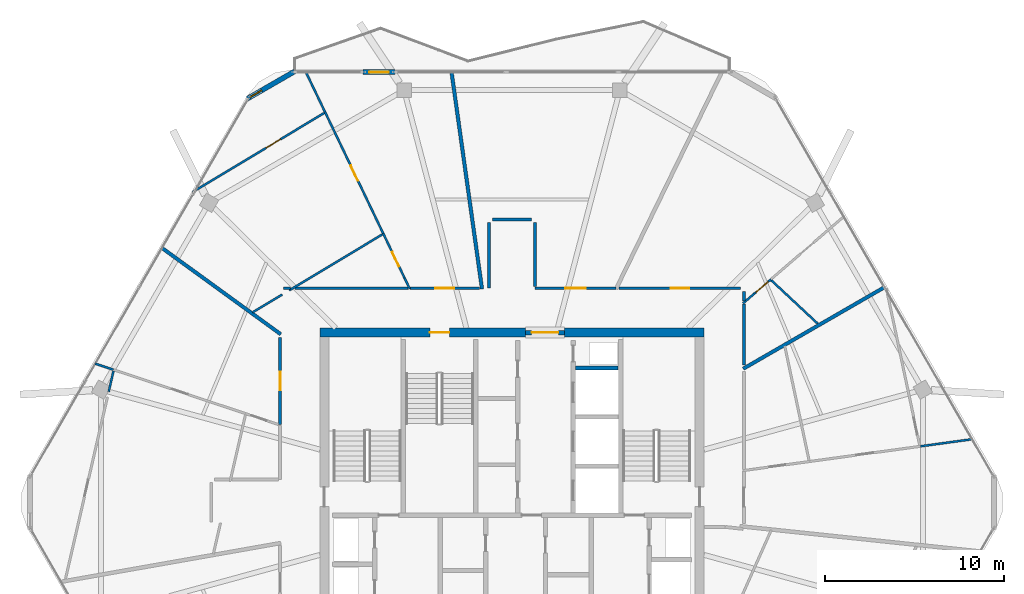
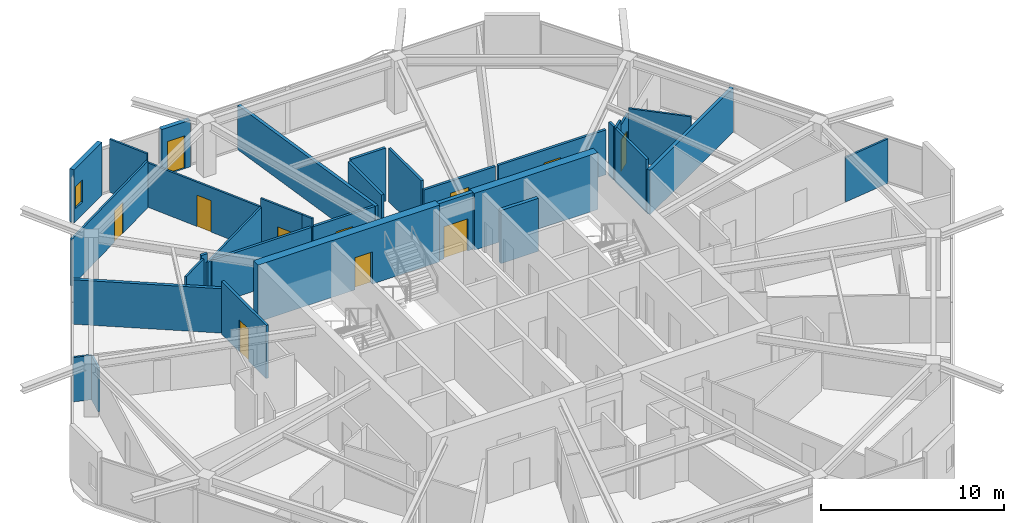
# One storey, part 17 of 20: 33 walls, 11 doors, 1 window, 12 openings.
"""IFC4 building model written with IfcOpenShell, lengths in metres."""

from ifc_helpers import new_model, si_unit, direction, frame, frame_2d, origin, place, context, subcontext, project, spatial, rectangle, extrude, material, layer, layer_set, type_object, element, fill, save


model = new_model("IFC4")

# Units and contexts
model_context = context("Model", 3, precision=1e-05, world=origin(), true_north=direction((0.0, 1.0)))
body_context = subcontext(model_context, "Body", "Model", "MODEL_VIEW")
ifc_project = project(units=[si_unit("LENGTHUNIT", "METRE"), si_unit("AREAUNIT", "SQUARE_METRE"), si_unit("VOLUMEUNIT", "CUBIC_METRE"), si_unit("PLANEANGLEUNIT", "RADIAN"), si_unit("MASSUNIT", "GRAM", prefix="KILO")], contexts=[model_context])

# Site, building, storey
site_placement = place(None, origin())
site = spatial("IfcSite", under=ifc_project, at=site_placement, CompositionType="ELEMENT")
building_placement = place(site_placement, origin())
building = spatial("IfcBuilding", under=site, at=building_placement, Name="Zuhravey Tower", CompositionType="ELEMENT")
storey_placement = place(building_placement, frame((0.0, 0.0, 312.0)))
storey = spatial("IfcBuildingStorey", under=building, at=storey_placement, Name="L79", CompositionType="ELEMENT", Elevation=312.0)

# Wall
ifc_material_1 = material(Name="Concrete C50/60", Category="concrete")
ifc_layer_1 = layer(ifc_material_1, 0.5)
ifc_layer_set_1 = layer_set([ifc_layer_1], Name="Concrete C50/60")
wall_type_1 = type_object("IfcWallType", Name="Core Shear Wall 500", PredefinedType="SHEAR", material=ifc_layer_set_1)
wall_1_placement = place(storey_placement, frame((46.75, 41.5, 0.0), z_axis=(0.0, 0.0, 1.0), x_axis=(-1.0, 0.0, 0.0)))
element("IfcWall", 1, at=wall_1_placement, inside=storey, type_object=wall_type_1, Name="L79 North-East Core Shear Wall CW50", PredefinedType="SHEAR", context=body_context, shape_type="SweptSolid", body=[
    extrude(rectangle(XDim=7.800048828125, YDim=0.5, at=frame_2d((3.89990234375, 0.0))), origin(), (0.0, 0.0, 1.0), 3.800048828125),
])

# Wall, opening, door
wall_2_placement = place(storey_placement, frame((36.75, 41.5, 0.0), z_axis=(0.0, 0.0, 1.0), x_axis=(-1.0, 0.0, 0.0)))
wall_2 = element("IfcWall", 2, at=wall_2_placement, inside=storey, type_object=wall_type_1, Name="L79 North-West Core Shear Wall CW50", PredefinedType="SHEAR", context=body_context, shape_type="SweptSolid", body=[
    extrude(rectangle(XDim=11.5, YDim=0.5, at=frame_2d((5.75, 0.0))), origin(), (0.0, 0.0, 1.0), 3.800048828125),
])
opening_1_placement = place(wall_2_placement, frame((4.25, 0.0, 0.0)))
opening_1 = element("IfcOpeningElement", 3, at=opening_1_placement, cuts=wall_2, Name="Opening STD1", PredefinedType="OPENING", context=body_context, shape_type="SweptSolid", body=[
    extrude(rectangle(XDim=1.10009765625, YDim=2.14990234375, at=frame_2d((0.550048828125, 1.074951171875))), frame((0.0, 0.261962890625, 0.0), z_axis=(0.0, -1.0, 0.0), x_axis=(1.0, 0.0, 0.0)), (0.0, 0.0, 1.0), 0.52392578125),
])
ifc_material_2 = material(Name="Galvanised fire-rated steel leaf", Category="steel")
door_type_1 = type_object("IfcDoorType", Name="Protected Stair Fire Door 1100x2150", OperationType="NOTDEFINED", PredefinedType="USERDEFINED", material=ifc_material_2)
door_1_placement = place(opening_1_placement, origin())
door_1 = element("IfcDoor", 4, at=door_1_placement, inside=storey, type_object=door_type_1, Name="L79 Stair ST3 Door", ObjectType="EXITDOOR", OperationType="SINGLE_SWING_LEFT", OverallHeight=2.14990234375, OverallWidth=1.10009765625, PredefinedType="USERDEFINED", context=body_context, shape_type="SweptSolid", body=[
    extrude(rectangle(XDim=1.10009765625, YDim=2.14990234375, at=frame_2d((0.550048828125, 1.074951171875))), frame((0.0, 0.02490234375, 0.0), z_axis=(0.0, -1.0, 0.0), x_axis=(1.0, 0.0, 0.0)), (0.0, 0.0, 1.0), 0.050048828125),
])
fill(opening_1, door_1)

ifc_material_3 = material(Name="Gypsum fire-rated stud partition")
ifc_layer_2 = layer(ifc_material_3, 0.159912109375)
ifc_layer_set_2 = layer_set([ifc_layer_2], Name="Gypsum fire-rated stud partition")
wall_type_2 = type_object("IfcWallType", Name="Corridor Fire Partition 160", PredefinedType="PARTITIONING", material=ifc_layer_set_2)
wall_3_placement = place(storey_placement, frame((34.189453125, 43.97998046875, 0.0), z_axis=(0.0, 0.0, 1.0), x_axis=(-1.0, 0.0, 0.0)))
wall_3 = element("IfcWall", 5, at=wall_3_placement, inside=storey, type_object=wall_type_2, Name="L79 IW16 Partition 023", PredefinedType="PARTITIONING", context=body_context, shape_type="SweptSolid", body=[
    extrude(rectangle(XDim=3.9072265625, YDim=0.159912109375, at=frame_2d((1.95361328125, 0.0))), origin(), (0.0, 0.0, 1.0), 3.0),
])
opening_2_placement = place(wall_3_placement, frame((1.428466796875, 0.0, 0.0)))
opening_2 = element("IfcOpeningElement", 6, at=opening_2_placement, cuts=wall_3, Name="Opening APD1", PredefinedType="OPENING", context=body_context, shape_type="SweptSolid", body=[
    extrude(rectangle(XDim=1.050048828125, YDim=2.14990234375, at=frame_2d((0.52490234375, 1.074951171875))), frame((0.0, 0.092041015625, 0.0), z_axis=(0.0, -1.0, 0.0), x_axis=(1.0, 0.0, 0.0)), (0.0, 0.0, 1.0), 0.183837890625),
])
ifc_material_4 = material(Name="Solid-core oak fire-rated leaf")
door_type_2 = type_object("IfcDoorType", Name="Apartment Entrance Fire Door 1050x2150", OperationType="NOTDEFINED", PredefinedType="DOOR", material=ifc_material_4)
door_2_placement = place(opening_2_placement, frame((1.050048828125, 0.0, 0.0), z_axis=(0.0, 0.0, 1.0), x_axis=(-1.0, 0.0, 0.0)))
door_2 = element("IfcDoor", 7, at=door_2_placement, inside=storey, type_object=door_type_2, Name="L79 Door 023.1", OperationType="SINGLE_SWING_LEFT", OverallHeight=2.14990234375, OverallWidth=1.050048828125, PredefinedType="DOOR", context=body_context, shape_type="SweptSolid", body=[
    extrude(rectangle(XDim=1.050048828125, YDim=2.14990234375, at=frame_2d((0.52490234375, 1.074951171875))), frame((0.0, 0.02490234375, 0.0), z_axis=(0.0, -1.0, 0.0), x_axis=(1.0, 0.0, 0.0)), (0.0, 0.0, 1.0), 0.050048828125),
])
fill(opening_2, door_2)

wall_4_placement = place(storey_placement, frame((23.02001953125, 41.23388671875, 0.0), z_axis=(0.0, 0.0, 1.0), x_axis=(0.0, -1.0, 0.0)))
wall_4 = element("IfcWall", 8, at=wall_4_placement, inside=storey, type_object=wall_type_2, Name="L79 IW16 Partition 027", PredefinedType="PARTITIONING", context=body_context, shape_type="SweptSolid", body=[
    extrude(rectangle(XDim=4.89501953125, YDim=0.159912109375, at=frame_2d((2.447509765625, 0.0))), origin(), (0.0, 0.0, 1.0), 3.550048828125),
])
opening_3_placement = place(wall_4_placement, frame((1.922607421875, 0.0, 0.0)))
opening_3 = element("IfcOpeningElement", 9, at=opening_3_placement, cuts=wall_4, Name="Opening APD1", PredefinedType="OPENING", context=body_context, shape_type="SweptSolid", body=[
    extrude(rectangle(XDim=1.050048828125, YDim=2.14990234375, at=frame_2d((0.52490234375, 1.074951171875))), frame((0.0, 0.092041015625, 0.0), z_axis=(0.0, -1.0, 0.0), x_axis=(1.0, 0.0, 0.0)), (0.0, 0.0, 1.0), 0.183837890625),
])
door_3_placement = place(opening_3_placement, frame((1.050048828125, 0.0, 0.0), z_axis=(0.0, 0.0, 1.0), x_axis=(-1.0, 0.0, 0.0)))
door_3 = element("IfcDoor", 10, at=door_3_placement, inside=storey, type_object=door_type_2, Name="L79 Door 027.1", OperationType="SINGLE_SWING_LEFT", OverallHeight=2.14990234375, OverallWidth=1.050048828125, PredefinedType="DOOR", context=body_context, shape_type="SweptSolid", body=[
    extrude(rectangle(XDim=1.050048828125, YDim=2.14990234375, at=frame_2d((0.52490234375, 1.074951171875))), frame((0.0, 0.02490234375, 0.0), z_axis=(0.0, -1.0, 0.0), x_axis=(1.0, 0.0, 0.0)), (0.0, 0.0, 1.0), 0.050048828125),
])
fill(opening_3, door_3)

wall_5_placement = place(storey_placement, frame((48.800048828125, 43.97998046875, 0.0), z_axis=(0.0, 0.0, 1.0), x_axis=(-1.0, 0.0, 0.0)))
wall_5 = element("IfcWall", 11, at=wall_5_placement, inside=storey, type_object=wall_type_2, Name="L79 IW16 Partition 050", PredefinedType="PARTITIONING", context=body_context, shape_type="SweptSolid", body=[
    extrude(rectangle(XDim=6.8046875, YDim=0.159912109375, at=frame_2d((3.40234375, 0.0))), origin(), (0.0, 0.0, 1.0), 3.0),
])
opening_4_placement = place(wall_5_placement, frame((2.877197265625, 0.0, 0.0)))
opening_4 = element("IfcOpeningElement", 12, at=opening_4_placement, cuts=wall_5, Name="Opening APD1", PredefinedType="OPENING", context=body_context, shape_type="SweptSolid", body=[
    extrude(rectangle(XDim=1.050048828125, YDim=2.14990234375, at=frame_2d((0.52490234375, 1.074951171875))), frame((0.0, 0.092041015625, 0.0), z_axis=(0.0, -1.0, 0.0), x_axis=(1.0, 0.0, 0.0)), (0.0, 0.0, 1.0), 0.183837890625),
])
door_4_placement = place(opening_4_placement, frame((1.050048828125, 0.0, 0.0), z_axis=(0.0, 0.0, 1.0), x_axis=(-1.0, 0.0, 0.0)))
door_4 = element("IfcDoor", 13, at=door_4_placement, inside=storey, type_object=door_type_2, Name="L79 Door 050.1", OperationType="SINGLE_SWING_RIGHT", OverallHeight=2.14990234375, OverallWidth=1.050048828125, PredefinedType="DOOR", context=body_context, shape_type="SweptSolid", body=[
    extrude(rectangle(XDim=1.050048828125, YDim=2.14990234375, at=frame_2d((0.52490234375, 1.074951171875))), frame((0.0, 0.02490234375, 0.0), z_axis=(0.0, -1.0, 0.0), x_axis=(1.0, 0.0, 0.0)), (0.0, 0.0, 1.0), 0.050048828125),
])
fill(opening_4, door_4)

wall_6_placement = place(storey_placement, frame((41.82080078125, 43.97998046875, 0.0), z_axis=(0.0, 0.0, 1.0), x_axis=(-1.0, 0.0, 0.0)))
wall_6 = element("IfcWall", 14, at=wall_6_placement, inside=storey, type_object=wall_type_2, Name="L79 IW16 Partition 051", PredefinedType="PARTITIONING", context=body_context, shape_type="SweptSolid", body=[
    extrude(rectangle(XDim=4.540771484375, YDim=0.159912109375, at=frame_2d((2.2705078125, 0.0))), origin(), (0.0, 0.0, 1.0), 3.0),
])
opening_5_placement = place(wall_6_placement, frame((1.6953125, 0.0, 0.0)))
opening_5 = element("IfcOpeningElement", 15, at=opening_5_placement, cuts=wall_6, Name="Opening CLD1", PredefinedType="OPENING", context=body_context, shape_type="SweptSolid", body=[
    extrude(rectangle(XDim=1.14990234375, YDim=2.199951171875, at=frame_2d((0.574951171875, 1.10009765625))), frame((0.0, 0.092041015625, 0.0), z_axis=(0.0, -1.0, 0.0), x_axis=(1.0, 0.0, 0.0)), (0.0, 0.0, 1.0), 0.183837890625),
])
ifc_material_5 = material(Name="Acoustic timber leaf with vision lite", Category="wood")
door_type_3 = type_object("IfcDoorType", Name="Classroom Acoustic Door 1150x2200", OperationType="NOTDEFINED", PredefinedType="DOOR", material=ifc_material_5)
door_5_placement = place(opening_5_placement, frame((1.14990234375, 0.0, 0.0), z_axis=(0.0, 0.0, 1.0), x_axis=(-1.0, 0.0, 0.0)))
door_5 = element("IfcDoor", 16, at=door_5_placement, inside=storey, type_object=door_type_3, Name="L79 Door 051.1", OperationType="SINGLE_SWING_LEFT", OverallHeight=2.199951171875, OverallWidth=1.14990234375, PredefinedType="DOOR", context=body_context, shape_type="SweptSolid", body=[
    extrude(rectangle(XDim=1.14990234375, YDim=2.199951171875, at=frame_2d((0.574951171875, 1.10009765625))), frame((0.0, 0.02490234375, 0.0), z_axis=(0.0, -1.0, 0.0), x_axis=(1.0, 0.0, 0.0)), (0.0, 0.0, 1.0), 0.050048828125),
])
fill(opening_5, door_5)

# Walls
wall_7_placement = place(storey_placement, frame((30.184814453125, 43.97998046875, 0.0), z_axis=(0.0, 0.0, 1.0), x_axis=(-1.0, 0.0, 0.0)))
element("IfcWall", 17, at=wall_7_placement, inside=storey, type_object=wall_type_2, Name="L79 IW16 Partition 094", PredefinedType="PARTITIONING", context=body_context, shape_type="SweptSolid", body=[
    extrude(rectangle(XDim=6.3203125, YDim=0.159912109375, at=frame_2d((3.16015625, 0.0))), origin(), (0.0, 0.0, 1.0), 3.0),
])
wall_8_placement = place(storey_placement, frame((23.6005859375, 43.97998046875, 0.0), z_axis=(0.0, 0.0, 1.0), x_axis=(-1.0, 0.0, 0.0)))
element("IfcWall", 18, at=wall_8_placement, inside=storey, type_object=wall_type_2, Name="L79 IW16 Partition 095", PredefinedType="PARTITIONING", context=body_context, shape_type="SweptSolid", body=[
    extrude(rectangle(XDim=0.400634765625, YDim=0.159912109375, at=frame_2d((0.2001953125, 0.0))), origin(), (0.0, 0.0, 1.0), 3.550048828125),
])
wall_9_placement = place(storey_placement, frame((48.97998046875, 43.26611328125, 0.0), z_axis=(0.0, 0.0, 1.0), x_axis=(0.0, 1.0, 0.0)))
element("IfcWall", 19, at=wall_9_placement, inside=storey, type_object=wall_type_2, Name="L79 IW16 Partition 112", PredefinedType="PARTITIONING", context=body_context, shape_type="SweptSolid", body=[
    extrude(rectangle(XDim=0.533935546875, YDim=0.159912109375, at=frame_2d((0.26708984375, 0.0))), origin(), (0.0, 0.0, 1.0), 3.550048828125),
])
wall_10_placement = place(storey_placement, frame((48.97998046875, 39.6689453125, 0.0), z_axis=(0.0, 0.0, 1.0), x_axis=(0.0, 1.0, 0.0)))
element("IfcWall", 20, at=wall_10_placement, inside=storey, type_object=wall_type_2, Name="L79 IW16 Partition 113", PredefinedType="PARTITIONING", context=body_context, shape_type="SweptSolid", body=[
    extrude(rectangle(XDim=3.417724609375, YDim=0.159912109375, at=frame_2d((1.708984375, 0.0))), origin(), (0.0, 0.0, 1.0), 3.550048828125),
])
wall_11_placement = place(storey_placement, frame((37.280029296875, 44.068115234375, 0.0), z_axis=(0.0, 0.0, 1.0), x_axis=(0.0, 1.0, 0.0)))
element("IfcWall", 21, at=wall_11_placement, inside=storey, type_object=wall_type_2, Name="L79 IW16 Partition 114", PredefinedType="PARTITIONING", context=body_context, shape_type="SweptSolid", body=[
    extrude(rectangle(XDim=3.581787109375, YDim=0.159912109375, at=frame_2d((1.791015625, 0.0))), origin(), (0.0, 0.0, 1.0), 3.550048828125),
])
wall_12_placement = place(storey_placement, frame((34.719970703125, 47.64990234375, 0.0), z_axis=(0.0, 0.0, 1.0), x_axis=(0.0, -1.0, 0.0)))
element("IfcWall", 22, at=wall_12_placement, inside=storey, type_object=wall_type_2, Name="L79 IW16 Partition 115", PredefinedType="PARTITIONING", context=body_context, shape_type="SweptSolid", body=[
    extrude(rectangle(XDim=3.669921875, YDim=0.159912109375, at=frame_2d((1.8349609375, 0.0))), origin(), (0.0, 0.0, 1.0), 3.550048828125),
])
wall_13_placement = place(storey_placement, frame((37.10009765625, 47.830078125, 0.0), z_axis=(0.0, 0.0, 1.0), x_axis=(-1.0, 0.0, 0.0)))
element("IfcWall", 23, at=wall_13_placement, inside=storey, type_object=wall_type_2, Name="L79 IW16 Partition 116", PredefinedType="PARTITIONING", context=body_context, shape_type="SweptSolid", body=[
    extrude(rectangle(XDim=2.2001953125, YDim=0.159912109375, at=frame_2d((1.10009765625, 0.0))), origin(), (0.0, 0.0, 1.0), 3.550048828125),
])

# Wall, opening, window
ifc_material_6 = material(Name="Precast concrete C40/50", Category="concrete")
ifc_layer_3 = layer(ifc_material_6, 0.280029296875)
ifc_layer_set_3 = layer_set([ifc_layer_3], Name="Precast concrete C40/50")
wall_type_3 = type_object("IfcWallType", Name="Crown Architectural Wall 280", PredefinedType="SOLIDWALL", material=ifc_layer_set_3)
wall_14_placement = place(storey_placement, frame((21.188720703125, 54.589111328125, 0.0), z_axis=(0.0, 0.0, 1.0), x_axis=(0.866023752521, 0.50000286006, 0.0)))
wall_14 = element("IfcWall", 24, at=wall_14_placement, inside=storey, type_object=wall_type_3, Name="L79 Rounded Corner Closure Wall EW28-08", PredefinedType="SOLIDWALL", context=body_context, shape_type="SweptSolid", body=[
    extrude(rectangle(XDim=3.06494140625, YDim=0.280029296875, at=frame_2d((1.532470703125, 0.0))), origin(), (0.0, 0.0, 1.0), 3.550048828125),
])
opening_6_placement = place(wall_14_placement, frame((0.1728515625, 0.0, 0.85009765625)))
opening_6 = element("IfcOpeningElement", 25, at=opening_6_placement, cuts=wall_14, Name="Opening WN5", PredefinedType="OPENING", context=body_context, shape_type="SweptSolid", body=[
    extrude(rectangle(XDim=0.75, YDim=1.5, at=frame_2d((0.375, 0.75))), frame((0.0, 0.152099609375, 0.0), z_axis=(0.0, -1.0, 0.0), x_axis=(1.0, 0.0, 0.0)), (0.0, 0.0, 1.0), 0.303955078125),
])
ifc_material_7 = material(Name="Thermally broken aluminium and triple low-E glass", Category="aluminium")
window_type = type_object("IfcWindowType", Name="Residential Corner Casement Window 750x1500", PartitioningType="SINGLE_PANEL", PredefinedType="WINDOW", material=ifc_material_7)
window_placement = place(opening_6_placement, origin())
window = element("IfcWindow", 26, at=window_placement, inside=storey, type_object=window_type, Name="L79 Corner Casement Window WN5-08.1", OverallHeight=1.5, OverallWidth=0.75, PartitioningType="SINGLE_PANEL", PredefinedType="WINDOW", context=body_context, shape_type="SweptSolid", body=[
    extrude(rectangle(XDim=0.75, YDim=1.5, at=frame_2d((0.375, 0.75))), frame((0.0, 0.030029296875, 0.0), z_axis=(0.0, -1.0, 0.0), x_axis=(1.0, 0.0, 0.0)), (0.0, 0.0, 1.0), 0.06005859375),
])
fill(opening_6, window)

# Wall, opening, door
wall_15_placement = place(storey_placement, frame((27.662109375, 56.07421875, 0.0), z_axis=(0.0, 0.0, 1.0), x_axis=(1.0, 0.0, 0.0)))
wall_15 = element("IfcWall", 27, at=wall_15_placement, inside=storey, type_object=wall_type_3, Name="L79 Face 2 Facade Pier EW28-1", PredefinedType="SOLIDWALL", context=body_context, shape_type="SweptSolid", body=[
    extrude(rectangle(XDim=1.7900390625, YDim=0.280029296875, at=frame_2d((0.89501953125, 0.0))), origin(), (0.0, 0.0, 1.0), 3.1220703125),
])
opening_7_placement = place(wall_15_placement, frame((0.344970703125, 0.0, 0.0)))
opening_7 = element("IfcOpeningElement", 28, at=opening_7_placement, cuts=wall_15, Name="Opening BLD1", PredefinedType="OPENING", context=body_context, shape_type="SweptSolid", body=[
    extrude(rectangle(XDim=1.10009765625, YDim=2.199951171875, at=frame_2d((0.550048828125, 1.10009765625))), frame((0.0, 0.152099609375, 0.0), z_axis=(0.0, -1.0, 0.0), x_axis=(1.0, 0.0, 0.0)), (0.0, 0.0, 1.0), 0.303955078125),
])
ifc_material_8 = material(Name="Thermally broken aluminium and low-E glass", Category="aluminium")
door_type_4 = type_object("IfcDoorType", Name="Balcony & Sky-Tray Glazed Door 1100x2200", OperationType="NOTDEFINED", PredefinedType="DOOR", material=ifc_material_8)
door_6_placement = place(opening_7_placement, frame((1.10009765625, 0.0, 0.0), z_axis=(0.0, 0.0, 1.0), x_axis=(-1.0, 0.0, 0.0)))
door_6 = element("IfcDoor", 29, at=door_6_placement, inside=storey, type_object=door_type_4, Name="L79 Face 2 Wave Balcony Door", OperationType="SINGLE_SWING_RIGHT", OverallHeight=2.199951171875, OverallWidth=1.10009765625, PredefinedType="DOOR", context=body_context, shape_type="SweptSolid", body=[
    extrude(rectangle(XDim=1.10009765625, YDim=2.199951171875, at=frame_2d((0.550048828125, 1.10009765625))), frame((0.0, 0.02490234375, 0.0), z_axis=(0.0, -1.0, 0.0), x_axis=(1.0, 0.0, 0.0)), (0.0, 0.0, 1.0), 0.050048828125),
])
fill(opening_7, door_6)

ifc_layer_4 = layer(ifc_material_1, 0.25)
ifc_layer_set_4 = layer_set([ifc_layer_4], Name="Concrete C50/60")
wall_type_4 = type_object("IfcWallType", Name="Firefighting Shaft & Stair Wall 250", PredefinedType="SOLIDWALL", material=ifc_layer_set_4)
wall_16_placement = place(storey_placement, frame((36.760009765625, 41.5, 0.0), z_axis=(0.0, 0.0, 1.0), x_axis=(1.0, 0.0, 0.0)))
wall_16 = element("IfcWall", 30, at=wall_16_placement, inside=storey, type_object=wall_type_4, Name="L79 FW25 Shaft Wall 002", PredefinedType="SOLIDWALL", context=body_context, shape_type="SweptSolid", body=[
    extrude(rectangle(XDim=2.179931640625, YDim=0.25, at=frame_2d((1.08984375, 0.0))), origin(), (0.0, 0.0, 1.0), 3.800048828125),
])
opening_8_placement = place(wall_16_placement, frame((0.340087890625, 0.0, 0.0)))
opening_8 = element("IfcOpeningElement", 31, at=opening_8_placement, cuts=wall_16, Name="Opening FFD1", PredefinedType="OPENING", context=body_context, shape_type="SweptSolid", body=[
    extrude(rectangle(XDim=1.5, YDim=2.14990234375, at=frame_2d((0.75, 1.074951171875))), frame((0.0, 0.136962890625, 0.0), z_axis=(0.0, -1.0, 0.0), x_axis=(1.0, 0.0, 0.0)), (0.0, 0.0, 1.0), 0.27392578125),
])
door_type_5 = type_object("IfcDoorType", Name="Firefighting Lobby Double Door 1500x2150", OperationType="DOUBLE_DOOR_SINGLE_SWING", PredefinedType="DOOR", material=ifc_material_2)
door_7_placement = place(opening_8_placement, origin())
door_7 = element("IfcDoor", 32, at=door_7_placement, inside=storey, type_object=door_type_5, Name="L79 North Lift Lobby Exit Door", OperationType="DOUBLE_DOOR_SINGLE_SWING", OverallHeight=2.14990234375, OverallWidth=1.5, PredefinedType="DOOR", context=body_context, shape_type="SweptSolid", body=[
    extrude(rectangle(XDim=1.5, YDim=2.14990234375, at=frame_2d((0.75, 1.074951171875))), frame((0.0, 0.02490234375, 0.0), z_axis=(0.0, -1.0, 0.0), x_axis=(1.0, 0.0, 0.0)), (0.0, 0.0, 1.0), 0.050048828125),
])
fill(opening_8, door_7)

# Walls
ifc_material_9 = material(Name="Gypsum double-stud party assembly")
ifc_layer_5 = layer(ifc_material_9, 0.199951171875)
ifc_layer_set_5 = layer_set([ifc_layer_5], Name="Gypsum double-stud party assembly")
wall_type_5 = type_object("IfcWallType", Name="Inter-Tenancy Party Wall 200", PredefinedType="PARTITIONING", material=ifc_layer_set_5)
wall_17_placement = place(storey_placement, frame((34.322021484375, 43.93994140625, 0.0), z_axis=(0.0, 0.0, 1.0), x_axis=(-0.139169963781, 0.990268509638, 0.0)))
element("IfcWall", 33, at=wall_17_placement, inside=storey, type_object=wall_type_5, Name="L79 IW20 Partition 058", PredefinedType="PARTITIONING", context=body_context, shape_type="SweptSolid", body=[
    extrude(rectangle(XDim=12.25341796875, YDim=0.199951171875, at=frame_2d((6.126708984375, 0.0))), origin(), (0.0, 0.0, 1.0), 2.969970703125),
])
wall_18_placement = place(storey_placement, frame((23.06005859375, 41.401611328125, 0.0), z_axis=(0.0, 0.0, 1.0), x_axis=(-0.80902654106, 0.587772112184, 0.0)))
element("IfcWall", 34, at=wall_18_placement, inside=storey, type_object=wall_type_5, Name="L79 IW20 Partition 063", PredefinedType="PARTITIONING", context=body_context, shape_type="SweptSolid", body=[
    extrude(rectangle(XDim=8.211669921875, YDim=0.199951171875, at=frame_2d((4.10595703125, 0.0))), origin(), (0.0, 0.0, 1.0), 2.969970703125),
])
wall_19_placement = place(storey_placement, frame((48.93994140625, 39.470947265625, 0.0), z_axis=(0.0, 0.0, 1.0), x_axis=(0.866028436312, 0.499994747472, 0.0)))
element("IfcWall", 35, at=wall_19_placement, inside=storey, type_object=wall_type_5, Name="L79 IW20 Partition 090", PredefinedType="PARTITIONING", context=body_context, shape_type="SweptSolid", body=[
    extrude(rectangle(XDim=9.13232421875, YDim=0.199951171875, at=frame_2d((4.566162109375, 0.0))), origin(), (0.0, 0.0, 1.0), 2.969970703125),
])
ifc_material_10 = material(Name="Gypsum acoustic stud assembly")
ifc_layer_6 = layer(ifc_material_10, 0.219970703125)
ifc_layer_set_6 = layer_set([ifc_layer_6], Name="Gypsum acoustic stud assembly")
wall_type_6 = type_object("IfcWallType", Name="School Acoustic Compartment Wall 220", PredefinedType="PARTITIONING", material=ifc_layer_set_6)
wall_20_placement = place(storey_placement, frame((39.55810546875, 39.52490234375, 0.0), z_axis=(0.0, 0.0, 1.0), x_axis=(1.0, 0.0, 0.0)))
element("IfcWall", 36, at=wall_20_placement, inside=storey, type_object=wall_type_6, Name="L79 IW22 Partition 056", PredefinedType="PARTITIONING", context=body_context, shape_type="SweptSolid", body=[
    extrude(rectangle(XDim=2.3837890625, YDim=0.219970703125, at=frame_2d((1.19189453125, 0.0))), origin(), (0.0, 0.0, 1.0), 3.550048828125),
])

# Wall, opening, door
ifc_material_11 = material(Name="Gypsum metal-stud partition")
ifc_layer_7 = layer(ifc_material_11, 0.1201171875)
ifc_layer_set_7 = layer_set([ifc_layer_7], Name="Gypsum metal-stud partition")
wall_type_7 = type_object("IfcWallType", Name="Unit Internal Partition 120", PredefinedType="PARTITIONING", material=ifc_layer_set_7)
wall_21_placement = place(storey_placement, frame((29.987060546875, 44.550048828125, 0.0), z_axis=(0.0, 0.0, 1.0), x_axis=(-0.432094791042, 0.901828194034, 0.0)))
wall_21 = element("IfcWall", 37, at=wall_21_placement, inside=storey, type_object=wall_type_7, Name="L79 IW12 Partition 020", PredefinedType="PARTITIONING", context=body_context, shape_type="SweptSolid", body=[
    extrude(rectangle(XDim=2.769775390625, YDim=0.1201171875, at=frame_2d((1.384765625, 0.0))), origin(), (0.0, 0.0, 1.0), 3.550048828125),
])
opening_9_placement = place(wall_21_placement, frame((0.71337890625, 0.0, 0.0)))
opening_9 = element("IfcOpeningElement", 38, at=opening_9_placement, cuts=wall_21, Name="Opening WCD1", PredefinedType="OPENING", context=body_context, shape_type="SweptSolid", body=[
    extrude(rectangle(XDim=0.89990234375, YDim=2.10009765625, at=frame_2d((0.449951171875, 1.050048828125))), frame((0.0, 0.072021484375, 0.0), z_axis=(0.0, -1.0, 0.0), x_axis=(1.0, 0.0, 0.0)), (0.0, 0.0, 1.0), 0.14404296875),
])
ifc_material_12 = material(Name="Moisture-resistant timber leaf", Category="wood")
door_type_6 = type_object("IfcDoorType", Name="Bathroom & WC Internal Door 900x2100", OperationType="NOTDEFINED", PredefinedType="DOOR", material=ifc_material_12)
door_8_placement = place(opening_9_placement, origin())
door_8 = element("IfcDoor", 39, at=door_8_placement, inside=storey, type_object=door_type_6, Name="Apartment L79-01 Bathroom Door", OperationType="SINGLE_SWING_RIGHT", OverallHeight=2.10009765625, OverallWidth=0.89990234375, PredefinedType="DOOR", context=body_context, shape_type="SweptSolid", body=[
    extrude(rectangle(XDim=0.89990234375, YDim=2.10009765625, at=frame_2d((0.449951171875, 1.050048828125))), frame((0.0, 0.02490234375, 0.0), z_axis=(0.0, -1.0, 0.0), x_axis=(1.0, 0.0, 0.0)), (0.0, 0.0, 1.0), 0.050048828125),
])
fill(opening_9, door_8)

wall_22_placement = place(storey_placement, frame((28.790283203125, 47.0478515625, 0.0), z_axis=(0.0, 0.0, 1.0), x_axis=(-0.432076809904, 0.901836809153, 0.0)))
wall_22 = element("IfcWall", 40, at=wall_22_placement, inside=storey, type_object=wall_type_7, Name="L79 IW12 Partition 021", PredefinedType="PARTITIONING", context=body_context, shape_type="SweptSolid", body=[
    extrude(rectangle(XDim=7.534912109375, YDim=0.1201171875, at=frame_2d((3.767578125, 0.0))), origin(), (0.0, 0.0, 1.0), 2.969970703125),
])
opening_10_placement = place(wall_22_placement, frame((3.267333984375, 0.0, 0.0)))
opening_10 = element("IfcOpeningElement", 41, at=opening_10_placement, cuts=wall_22, Name="Opening IND1", PredefinedType="OPENING", context=body_context, shape_type="SweptSolid", body=[
    extrude(rectangle(XDim=0.949951171875, YDim=2.10009765625, at=frame_2d((0.47509765625, 1.050048828125))), frame((0.0, 0.072021484375, 0.0), z_axis=(0.0, -1.0, 0.0), x_axis=(1.0, 0.0, 0.0)), (0.0, 0.0, 1.0), 0.14404296875),
])
ifc_material_13 = material(Name="Painted engineered timber leaf", Category="wood")
door_type_7 = type_object("IfcDoorType", Name="Internal Room & Bedroom Door 950x2100", OperationType="NOTDEFINED", PredefinedType="DOOR", material=ifc_material_13)
door_9_placement = place(opening_10_placement, origin())
door_9 = element("IfcDoor", 42, at=door_9_placement, inside=storey, type_object=door_type_7, Name="Apartment L79-01 Home Office Door", OperationType="SINGLE_SWING_LEFT", OverallHeight=2.10009765625, OverallWidth=0.949951171875, PredefinedType="DOOR", context=body_context, shape_type="SweptSolid", body=[
    extrude(rectangle(XDim=0.949951171875, YDim=2.10009765625, at=frame_2d((0.47509765625, 1.050048828125))), frame((0.0, 0.02490234375, 0.0), z_axis=(0.0, -1.0, 0.0), x_axis=(1.0, 0.0, 0.0)), (0.0, 0.0, 1.0), 0.050048828125),
])
fill(opening_10, door_9)

wall_23_placement = place(storey_placement, frame((25.48681640625, 53.785400390625, 0.0), z_axis=(0.0, 0.0, 1.0), x_axis=(-0.857163620168, -0.515044200299, 0.0)))
wall_23 = element("IfcWall", 43, at=wall_23_placement, inside=storey, type_object=wall_type_7, Name="L79 IW12 Partition 022", PredefinedType="PARTITIONING", context=body_context, shape_type="SweptSolid", body=[
    extrude(rectangle(XDim=8.573974609375, YDim=0.1201171875, at=frame_2d((4.287109375, 0.0))), origin(), (0.0, 0.0, 1.0), 3.1220703125),
])
opening_11_placement = place(wall_23_placement, frame((2.84765625, 0.0, 0.0)))
opening_11 = element("IfcOpeningElement", 44, at=opening_11_placement, cuts=wall_23, Name="Opening IND1", PredefinedType="OPENING", context=body_context, shape_type="SweptSolid", body=[
    extrude(rectangle(XDim=0.949951171875, YDim=2.10009765625, at=frame_2d((0.47509765625, 1.050048828125))), frame((0.0, 0.072021484375, 0.0), z_axis=(0.0, -1.0, 0.0), x_axis=(1.0, 0.0, 0.0)), (0.0, 0.0, 1.0), 0.14404296875),
])
door_10_placement = place(opening_11_placement, frame((0.949951171875, 0.0, 0.0), z_axis=(0.0, 0.0, 1.0), x_axis=(-1.0, 0.0, 0.0)))
door_10 = element("IfcDoor", 45, at=door_10_placement, inside=storey, type_object=door_type_7, Name="Apartment L79-01 Bedroom 1 Door", OperationType="SINGLE_SWING_RIGHT", OverallHeight=2.10009765625, OverallWidth=0.949951171875, PredefinedType="DOOR", context=body_context, shape_type="SweptSolid", body=[
    extrude(rectangle(XDim=0.949951171875, YDim=2.10009765625, at=frame_2d((0.47509765625, 1.050048828125))), frame((0.0, 0.02490234375, 0.0), z_axis=(0.0, -1.0, 0.0), x_axis=(1.0, 0.0, 0.0)), (0.0, 0.0, 1.0), 0.050048828125),
])
fill(opening_11, door_10)

wall_24_placement = place(storey_placement, frame((49.550048828125, 43.667236328125, 0.0), z_axis=(0.0, 0.0, 1.0), x_axis=(0.757782315792, 0.652507442006, 0.0)))
wall_24 = element("IfcWall", 46, at=wall_24_placement, inside=storey, type_object=wall_type_7, Name="L79 IW12 Partition 048", PredefinedType="PARTITIONING", context=body_context, shape_type="SweptSolid", body=[
    extrude(rectangle(XDim=1.24072265625, YDim=0.1201171875, at=frame_2d((0.620361328125, 0.0))), origin(), (0.0, 0.0, 1.0), 3.199951171875),
])
opening_12_placement = place(wall_24_placement, frame((0.139892578125, 0.0, 0.0)))
opening_12 = element("IfcOpeningElement", 47, at=opening_12_placement, cuts=wall_24, Name="Opening WCD1", PredefinedType="OPENING", context=body_context, shape_type="SweptSolid", body=[
    extrude(rectangle(XDim=0.89990234375, YDim=2.10009765625, at=frame_2d((0.449951171875, 1.050048828125))), frame((0.0, 0.072021484375, 0.0), z_axis=(0.0, -1.0, 0.0), x_axis=(1.0, 0.0, 0.0)), (0.0, 0.0, 1.0), 0.14404296875),
])
door_11_placement = place(opening_12_placement, frame((0.89990234375, 0.0, 0.0), z_axis=(0.0, 0.0, 1.0), x_axis=(-1.0, 0.0, 0.0)))
door_11 = element("IfcDoor", 48, at=door_11_placement, inside=storey, type_object=door_type_6, Name="Apartment L79-08 Bathroom Door", OperationType="SINGLE_SWING_RIGHT", OverallHeight=2.10009765625, OverallWidth=0.89990234375, PredefinedType="DOOR", context=body_context, shape_type="SweptSolid", body=[
    extrude(rectangle(XDim=0.89990234375, YDim=2.10009765625, at=frame_2d((0.449951171875, 1.050048828125))), frame((0.0, 0.02490234375, 0.0), z_axis=(0.0, -1.0, 0.0), x_axis=(1.0, 0.0, 0.0)), (0.0, 0.0, 1.0), 0.050048828125),
])
fill(opening_12, door_11)

# Walls
wall_25_placement = place(storey_placement, frame((30.280517578125, 43.9375, 0.0), z_axis=(0.0, 0.0, 1.0), x_axis=(-0.432053187678, 0.901848126359, 0.0)))
element("IfcWall", 49, at=wall_25_placement, inside=storey, type_object=wall_type_7, Name="L79 IW12 Partition 059", PredefinedType="PARTITIONING", context=body_context, shape_type="SweptSolid", body=[
    extrude(rectangle(XDim=0.67919921875, YDim=0.1201171875, at=frame_2d((0.339599609375, 0.0))), origin(), (0.0, 0.0, 1.0), 3.550048828125),
])
wall_26_placement = place(storey_placement, frame((25.53466796875, 53.843017578125, 0.0), z_axis=(0.0, 0.0, 1.0), x_axis=(-0.432145203879, 0.901804037896, 0.0)))
element("IfcWall", 50, at=wall_26_placement, inside=storey, type_object=wall_type_7, Name="L79 IW12 Partition 060", PredefinedType="PARTITIONING", context=body_context, shape_type="SweptSolid", body=[
    extrude(rectangle(XDim=2.4794921875, YDim=0.1201171875, at=frame_2d((1.23974609375, 0.0))), origin(), (0.0, 0.0, 1.0), 3.550048828125),
])
wall_27_placement = place(storey_placement, frame((28.742431640625, 46.990234375, 0.0), z_axis=(0.0, 0.0, 1.0), x_axis=(-0.85717020717, -0.515033237704, 0.0)))
element("IfcWall", 51, at=wall_27_placement, inside=storey, type_object=wall_type_7, Name="L79 IW12 Partition 061", PredefinedType="PARTITIONING", context=body_context, shape_type="SweptSolid", body=[
    extrude(rectangle(XDim=6.07763671875, YDim=0.1201171875, at=frame_2d((3.038818359375, 0.0))), origin(), (0.0, 0.0, 1.0), 3.0),
])
wall_28_placement = place(storey_placement, frame((23.139892578125, 43.623779296875, 0.0), z_axis=(0.0, 0.0, 1.0), x_axis=(-0.857182204265, -0.515013270403, 0.0)))
element("IfcWall", 52, at=wall_28_placement, inside=storey, type_object=wall_type_7, Name="L79 IW12 Partition 062", PredefinedType="PARTITIONING", context=body_context, shape_type="SweptSolid", body=[
    extrude(rectangle(XDim=1.942138671875, YDim=0.1201171875, at=frame_2d((0.97119140625, 0.0))), origin(), (0.0, 0.0, 1.0), 3.550048828125),
])
wall_29_placement = place(storey_placement, frame((13.6865234375, 39.422607421875, 0.0), z_axis=(0.0, 0.0, 1.0), x_axis=(-0.948843569766, 0.315746544105, 0.0)))
element("IfcWall", 53, at=wall_29_placement, inside=storey, type_object=wall_type_7, Name="L79 IW12 Partition 065", PredefinedType="PARTITIONING", context=body_context, shape_type="SweptSolid", body=[
    extrude(rectangle(XDim=1.0654296875, YDim=0.1201171875, at=frame_2d((0.53271484375, 0.0))), origin(), (0.0, 0.0, 1.0), 2.969970703125),
])
wall_30_placement = place(storey_placement, frame((13.69482421875, 39.348388671875, 0.0), z_axis=(0.0, 0.0, 1.0), x_axis=(-0.225009033114, -0.974356677515, 0.0)))
element("IfcWall", 54, at=wall_30_placement, inside=storey, type_object=wall_type_7, Name="L79 IW12 Partition 068", PredefinedType="PARTITIONING", context=body_context, shape_type="SweptSolid", body=[
    extrude(rectangle(XDim=1.1923828125, YDim=0.1201171875, at=frame_2d((0.59619140625, 0.0))), origin(), (0.0, 0.0, 1.0), 2.969970703125),
])
wall_31_placement = place(storey_placement, frame((58.85546875, 35.130859375, 0.0), z_axis=(0.0, 0.0, 1.0), x_axis=(0.990749539567, 0.135703168156, 0.0)))
element("IfcWall", 55, at=wall_31_placement, inside=storey, type_object=wall_type_7, Name="L79 IW12 Partition 088", PredefinedType="PARTITIONING", context=body_context, shape_type="SweptSolid", body=[
    extrude(rectangle(XDim=2.93603515625, YDim=0.1201171875, at=frame_2d((1.468017578125, 0.0))), origin(), (0.0, 0.0, 1.0), 2.969970703125),
])
wall_32_placement = place(storey_placement, frame((48.93505859375, 43.1376953125, 0.0), z_axis=(0.0, 0.0, 1.0), x_axis=(0.757789461508, 0.652499143315, 0.0)))
element("IfcWall", 56, at=wall_32_placement, inside=storey, type_object=wall_type_7, Name="L79 IW12 Partition 091", PredefinedType="PARTITIONING", context=body_context, shape_type="SweptSolid", body=[
    extrude(rectangle(XDim=0.8115234375, YDim=0.1201171875, at=frame_2d((0.40576171875, 0.0))), origin(), (0.0, 0.0, 1.0), 3.550048828125),
])
wall_33_placement = place(storey_placement, frame((53.107666015625, 42.001708984375, 0.0), z_axis=(0.0, 0.0, 1.0), x_axis=(-0.731321501002, 0.682032889362, 0.0)))
element("IfcWall", 57, at=wall_33_placement, inside=storey, type_object=wall_type_7, Name="L79 IW12 Partition 092", PredefinedType="PARTITIONING", context=body_context, shape_type="SweptSolid", body=[
    extrude(rectangle(XDim=3.53662109375, YDim=0.1201171875, at=frame_2d((1.768310546875, 0.0))), origin(), (0.0, 0.0, 1.0), 3.550048828125),
])

save(model, "model.ifc")
